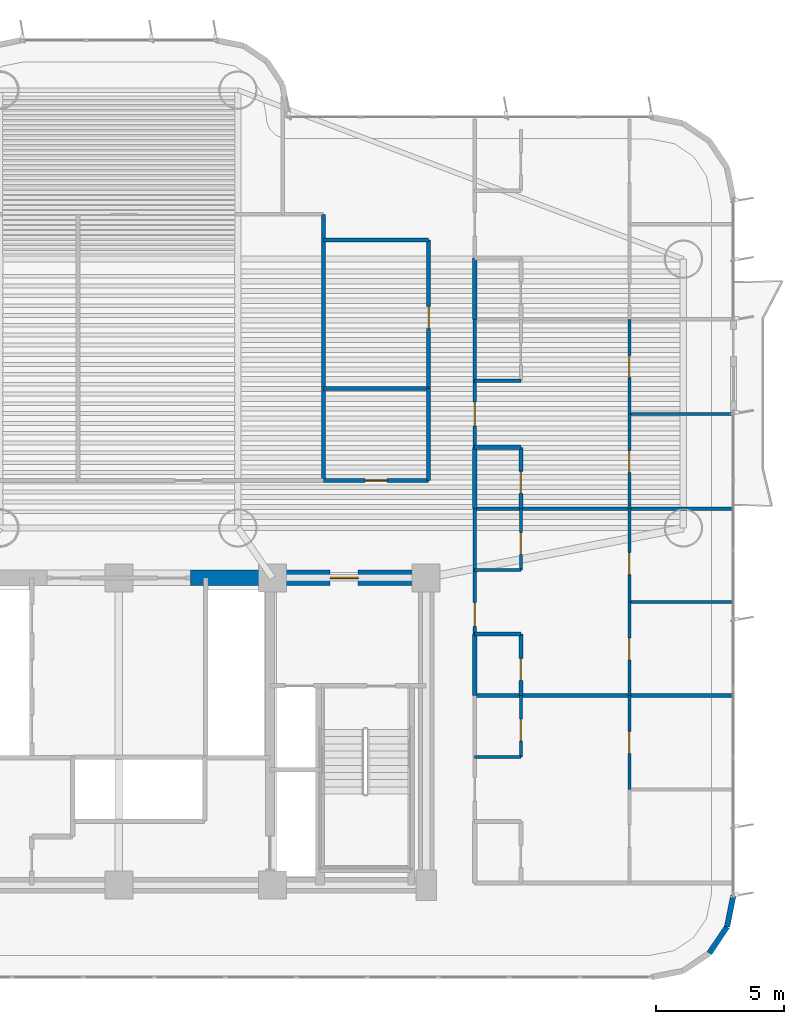
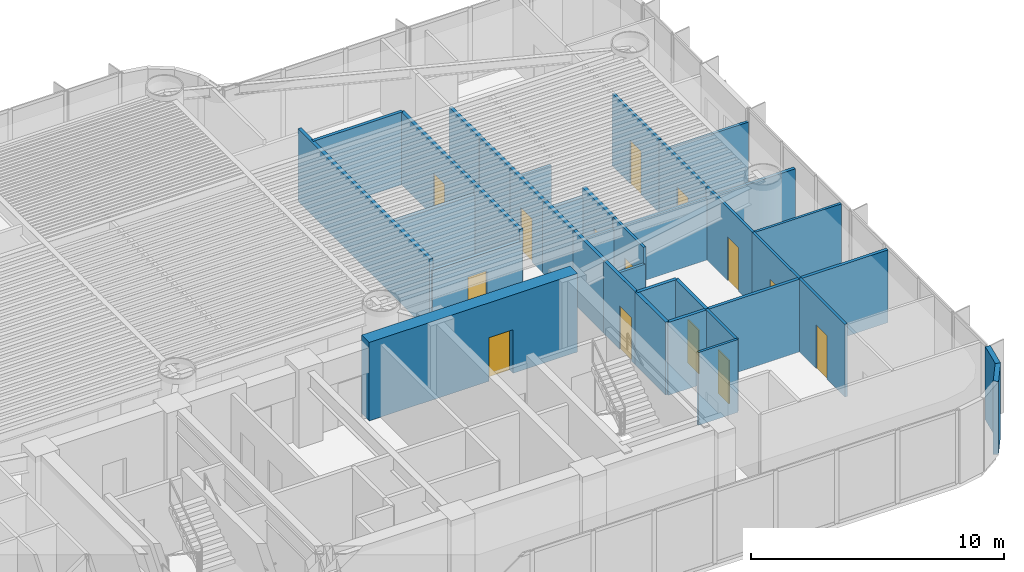
# One storey, part 13 of 19: 34 walls, 14 doors, 14 openings.
"""IFC4 building model written with IfcOpenShell, lengths in metres."""

from ifc_helpers import new_model, si_unit, direction, frame, frame_2d, origin, origin_2d, place, context, subcontext, project, spatial, rectangle, extrude, source, transform, mapped, material, layer, layer_set, type_object, element, fill, save


model = new_model("IFC4")

# Units and contexts
model_context = context("Model", 3, precision=1e-05, world=origin(), true_north=direction((0.0, 1.0)))
body_context = subcontext(model_context, "Body", "Model", "MODEL_VIEW")
ifc_project = project(units=[si_unit("LENGTHUNIT", "METRE"), si_unit("AREAUNIT", "SQUARE_METRE"), si_unit("VOLUMEUNIT", "CUBIC_METRE"), si_unit("PLANEANGLEUNIT", "RADIAN"), si_unit("MASSUNIT", "GRAM", prefix="KILO")], contexts=[model_context])

# Site, building, storey
site_placement = place(None, origin())
site = spatial("IfcSite", under=ifc_project, at=site_placement, CompositionType="ELEMENT")
building_placement = place(site_placement, origin())
building = spatial("IfcBuilding", under=site, at=building_placement, Name="Brelvock Crest Care Tower", CompositionType="ELEMENT")
storey_placement = place(building_placement, frame((0.0, 0.0, 30.780029296875)))
storey = spatial("IfcBuildingStorey", under=building, at=storey_placement, Name="L07", CompositionType="ELEMENT", Elevation=30.780029296875)

# Wall, opening, door
ifc_material_1 = material(Name="Concrete S80 (80 MPa)", Category="concrete")
ifc_layer_1 = layer(ifc_material_1, 0.60009765625, Name="WL-CS1")
ifc_layer_set_1 = layer_set([ifc_layer_1], Name="Concrete S80 (80 MPa)")
wall_type_1 = type_object("IfcWallType", Name="WL-CS1", PredefinedType="SHEAR", material=ifc_layer_set_1)
wall_1_placement = place(storey_placement, frame((38.800048828125, 18.0, 0.0), z_axis=(0.0, 0.0, 1.0), x_axis=(1.0, 0.0, 0.0)))
wall_1 = element("IfcWall", 1, at=wall_1_placement, inside=storey, type_object=wall_type_1, Name="L07 Core North-East Shear Wall", PredefinedType="SHEAR", context=body_context, shape_type="SweptSolid", body=[
    extrude(rectangle(XDim=9.5, YDim=0.60009765625, at=frame_2d((4.75, 0.0))), origin(), (0.0, 0.0, 1.0), 3.780029296875),
])
opening_1_placement = place(wall_1_placement, frame((5.449951171875, 0.0, 0.0)))
opening_1 = element("IfcOpeningElement", 2, at=opening_1_placement, cuts=wall_1, Name="Opening FD-1", PredefinedType="OPENING", context=body_context, shape_type="SweptSolid", body=[
    extrude(rectangle(XDim=1.10009765625, YDim=2.10009765625, at=origin_2d()), frame((0.550048828125, 0.31005859375, 1.050048828125), z_axis=(0.0, -1.0, 0.0), x_axis=(1.0, 0.0, 0.0)), (0.0, 0.0, 1.0), 0.6201171875),
])
ifc_material_2 = material(Name="Steel Grade 350", Category="steel")
door_type_1 = type_object("IfcDoorType", Name="DR-FFL1", OperationType="NOTDEFINED", PredefinedType="DOOR", material=ifc_material_2)
shared_shape_1 = source(origin(), body_context, "Body", "SweptSolid", [
    extrude(rectangle(XDim=1.10009765625, YDim=2.10009765625, at=origin_2d()), frame((0.550048828125, 0.02490234375, 1.050048828125), z_axis=(0.0, -1.0, 0.0), x_axis=(1.0, 0.0, 0.0)), (0.0, 0.0, 1.0), 0.050048828125),
])
door_1_placement = place(opening_1_placement, origin())
door_1 = element("IfcDoor", 3, at=door_1_placement, inside=storey, type_object=door_type_1, Name="L07 Firefighting Lobby FFL-2 Exit Door", OperationType="SINGLE_SWING_RIGHT", OverallHeight=2.10009765625, OverallWidth=1.10009765625, PredefinedType="DOOR", context=body_context, shape_type="MappedRepresentation", body=[
    mapped(shared_shape_1, transform((0.0, 0.0, 0.0), x_axis=(1.0, 0.0, 0.0), y_axis=(0.0, 1.0, 0.0), z_axis=(0.0, 0.0, 1.0), scale=1.0)),
])
fill(opening_1, door_1)

# Walls
ifc_material_3 = material(Name="Precast concrete N40 (40 MPa)", Category="concrete")
ifc_layer_2 = layer(ifc_material_3, 0.215087890625, Name="WL-EX2")
ifc_layer_set_2 = layer_set([ifc_layer_2], Name="Precast concrete N40 (40 MPa)")
wall_type_2 = type_object("IfcWallType", Name="WL-EX2", PredefinedType="SOLIDWALL", material=ifc_layer_set_2)
for number, where, z_axis, x_axis, name in (
    (4, (60.0, 5.60009765625, 0.0), (0.0, 0.0, 1.0), (-0.195138390419, -0.980775717779, 0.0), "L07 Rounded Corner Wall 04"),
    (5, (59.75634765625, 4.37548828125, 0.0), (0.0, 0.0, 1.0), (-0.555557312883, -0.831478245117, 0.0), "L07 Rounded Corner Wall 05"),
):
    element("IfcWall", number, at=place(storey_placement, frame(where, z_axis=z_axis, x_axis=x_axis)), inside=storey, type_object=wall_type_2, Name=name, PredefinedType="SOLIDWALL", context=body_context, shape_type="SweptSolid", body=[
        extrude(rectangle(XDim=1.24853515625, YDim=0.215087890625, at=frame_2d((0.624267578125, 0.0))), origin(), (0.0, 0.0, 1.0), 3.530029296875),
    ])
ifc_material_4 = material(Name="Masonry Blockwork Acoustic Partition", Category="masonry")
ifc_layer_3 = layer(ifc_material_4, 0.14990234375, Name="WL-INT1")
ifc_layer_set_3 = layer_set([ifc_layer_3], Name="Masonry Blockwork Acoustic Partition")
wall_type_3 = type_object("IfcWallType", Name="WL-INT1", PredefinedType="PARTITIONING", material=ifc_layer_set_3)
wall_2_placement = place(storey_placement, frame((49.89990234375, 13.39990234375, 0.0), z_axis=(0.0, 0.0, 1.0), x_axis=(1.0, 0.0, 0.0)))
element("IfcWall", 6, at=wall_2_placement, inside=storey, type_object=wall_type_3, Name="L07 Interior Wall WL-BX-L07-FL-EW1-N", PredefinedType="PARTITIONING", context=body_context, shape_type="SweptSolid", body=[
    extrude(rectangle(XDim=10.02001953125, YDim=0.14990234375, at=frame_2d((5.010009765625, 0.0))), origin(), (0.0, 0.0, 1.0), 3.5),
])
wall_3_placement = place(storey_placement, frame((49.89990234375, 20.699951171875, 0.0), z_axis=(0.0, 0.0, 1.0), x_axis=(1.0, 0.0, 0.0)))
element("IfcWall", 7, at=wall_3_placement, inside=storey, type_object=wall_type_3, Name="L07 Interior Wall WL-BX-L07-FL-EW2-N", PredefinedType="PARTITIONING", context=body_context, shape_type="SweptSolid", body=[
    extrude(rectangle(XDim=10.02001953125, YDim=0.14990234375, at=frame_2d((5.010009765625, 0.0))), origin(), (0.0, 0.0, 1.0), 2.98193359375),
])
wall_4_placement = place(storey_placement, frame((44.0, 31.199951171875, 0.0), z_axis=(0.0, 0.0, 1.0), x_axis=(1.0, 0.0, 0.0)))
element("IfcWall", 8, at=wall_4_placement, inside=storey, type_object=wall_type_3, Name="L07 Interior Wall WL-BX-L07-CKIT-N", PredefinedType="PARTITIONING", context=body_context, shape_type="SweptSolid", body=[
    extrude(rectangle(XDim=4.10009765625, YDim=0.14990234375, at=frame_2d((2.050048828125, 0.0))), origin(), (0.0, 0.0, 1.0), 3.5),
])

# Wall, opening, door
wall_5_placement = place(storey_placement, frame((48.10009765625, 25.39990234375, 0.0), z_axis=(0.0, 0.0, 1.0), x_axis=(0.0, 1.0, 0.0)))
wall_5 = element("IfcWall", 9, at=wall_5_placement, inside=storey, type_object=wall_type_3, Name="L07 Interior Wall WL-RM-L07-CKIT", PredefinedType="PARTITIONING", context=body_context, shape_type="SweptSolid", body=[
    extrude(rectangle(XDim=5.800048828125, YDim=0.14990234375, at=frame_2d((2.89990234375, 0.0))), origin(), (0.0, 0.0, 1.0), 3.5),
])
opening_2_placement = place(wall_5_placement, frame((2.340087890625, 0.0, 0.0)))
opening_2 = element("IfcOpeningElement", 10, at=opening_2_placement, cuts=wall_5, Name="Opening ID-1", PredefinedType="OPENING", context=body_context, shape_type="SweptSolid", body=[
    extrude(rectangle(XDim=0.860107421875, YDim=2.10009765625, at=origin_2d()), frame((0.43017578125, 0.0849609375, 1.050048828125), z_axis=(0.0, -1.0, 0.0), x_axis=(1.0, 0.0, 0.0)), (0.0, 0.0, 1.0), 0.169921875),
])
ifc_material_5 = material(Name="Engineered Hardwood Timber", Category="wood")
door_type_2 = type_object("IfcDoorType", Name="DR-INT1", OperationType="NOTDEFINED", PredefinedType="DOOR", material=ifc_material_5)
shared_shape_2 = source(origin(), body_context, "Body", "SweptSolid", [
    extrude(rectangle(XDim=0.860107421875, YDim=2.10009765625, at=origin_2d()), frame((0.43017578125, 0.02490234375, 1.050048828125), z_axis=(0.0, -1.0, 0.0), x_axis=(1.0, 0.0, 0.0)), (0.0, 0.0, 1.0), 0.050048828125),
])
door_2_placement = place(opening_2_placement, origin())
door_2 = element("IfcDoor", 11, at=door_2_placement, inside=storey, type_object=door_type_2, Name="L07 Neighbourhood Pantry Kitchen Door CKIT", OperationType="SINGLE_SWING_LEFT", OverallHeight=2.10009765625, OverallWidth=0.860107421875, PredefinedType="DOOR", context=body_context, shape_type="MappedRepresentation", body=[
    mapped(shared_shape_2, transform((0.0, 0.0, 0.0), x_axis=(1.0, 0.0, 0.0), y_axis=(0.0, 1.0, 0.0), z_axis=(0.0, 0.0, 1.0), scale=1.0)),
])
fill(opening_2, door_2)

wall_6_placement = place(storey_placement, frame((49.89990234375, 15.800048828125, 0.0), z_axis=(0.0, 0.0, 1.0), x_axis=(0.0, 1.0, 0.0)))
wall_6 = element("IfcWall", 12, at=wall_6_placement, inside=storey, type_object=wall_type_3, Name="L07 Interior Wall WL-UENT-L07-EW2", PredefinedType="PARTITIONING", context=body_context, shape_type="SweptSolid", body=[
    extrude(rectangle(XDim=2.5, YDim=0.14990234375, at=frame_2d((1.25, 0.0))), origin(), (0.0, 0.0, 1.0), 3.5),
])
opening_3_placement = place(wall_6_placement, frame((0.31005859375, 0.0, 0.0)))
opening_3 = element("IfcOpeningElement", 13, at=opening_3_placement, cuts=wall_6, Name="Opening AD-1", PredefinedType="OPENING", context=body_context, shape_type="SweptSolid", body=[
    extrude(rectangle(XDim=0.919921875, YDim=2.10009765625, at=origin_2d()), frame((0.4599609375, 0.0849609375, 1.050048828125), z_axis=(0.0, -1.0, 0.0), x_axis=(1.0, 0.0, 0.0)), (0.0, 0.0, 1.0), 0.169921875),
])
door_type_3 = type_object("IfcDoorType", Name="DR-APT1", OperationType="NOTDEFINED", PredefinedType="DOOR", material=ifc_material_5)
shared_shape_3 = source(origin(), body_context, "Body", "SweptSolid", [
    extrude(rectangle(XDim=0.919921875, YDim=2.10009765625, at=origin_2d()), frame((0.4599609375, 0.02490234375, 1.050048828125), z_axis=(0.0, -1.0, 0.0), x_axis=(1.0, 0.0, 0.0)), (0.0, 0.0, 1.0), 0.050048828125),
])
door_3_placement = place(opening_3_placement, origin())
door_3 = element("IfcDoor", 14, at=door_3_placement, inside=storey, type_object=door_type_3, Name="L07 Apartment Entrance EW2", OperationType="SINGLE_SWING_LEFT", OverallHeight=2.10009765625, OverallWidth=0.919921875, PredefinedType="DOOR", context=body_context, shape_type="MappedRepresentation", body=[
    mapped(shared_shape_3, transform((0.0, 0.0, 0.0), x_axis=(1.0, 0.0, 0.0), y_axis=(0.0, 1.0, 0.0), z_axis=(0.0, 0.0, 1.0), scale=1.0)),
])
fill(opening_3, door_3)

# Wall
wall_7_placement = place(storey_placement, frame((49.89990234375, 18.300048828125, 0.0), z_axis=(0.0, 0.0, 1.0), x_axis=(0.0, 1.0, 0.0)))
element("IfcWall", 15, at=wall_7_placement, inside=storey, type_object=wall_type_3, Name="L07 Interior Wall WL-UCK-L07-EW2", PredefinedType="PARTITIONING", context=body_context, shape_type="SweptSolid", body=[
    extrude(rectangle(XDim=2.39990234375, YDim=0.14990234375, at=frame_2d((1.199951171875, 0.0))), origin(), (0.0, 0.0, 1.0), 3.5),
])

# Wall, opening, door
wall_8_placement = place(storey_placement, frame((49.89990234375, 23.10009765625, 0.0), z_axis=(0.0, 0.0, 1.0), x_axis=(0.0, 1.0, 0.0)))
wall_8 = element("IfcWall", 16, at=wall_8_placement, inside=storey, type_object=wall_type_3, Name="L07 Interior Wall WL-UENT-L07-EW3", PredefinedType="PARTITIONING", context=body_context, shape_type="SweptSolid", body=[
    extrude(rectangle(XDim=2.599853515625, YDim=0.14990234375, at=frame_2d((1.2998046875, 0.0))), origin(), (0.0, 0.0, 1.0), 3.5),
])
opening_4_placement = place(wall_8_placement, frame((0.840087890625, 0.0, 0.0)))
opening_4 = element("IfcOpeningElement", 17, at=opening_4_placement, cuts=wall_8, Name="Opening AD-1", PredefinedType="OPENING", context=body_context, shape_type="SweptSolid", body=[
    extrude(rectangle(XDim=0.919921875, YDim=2.10009765625, at=origin_2d()), frame((0.4599609375, 0.0849609375, 1.050048828125), z_axis=(0.0, -1.0, 0.0), x_axis=(1.0, 0.0, 0.0)), (0.0, 0.0, 1.0), 0.169921875),
])
door_4_placement = place(opening_4_placement, origin())
door_4 = element("IfcDoor", 18, at=door_4_placement, inside=storey, type_object=door_type_3, Name="L07 Apartment Entrance EW3", OperationType="SINGLE_SWING_LEFT", OverallHeight=2.10009765625, OverallWidth=0.919921875, PredefinedType="DOOR", context=body_context, shape_type="MappedRepresentation", body=[
    mapped(shared_shape_3, transform((0.0, 0.0, 0.0), x_axis=(1.0, 0.0, 0.0), y_axis=(0.0, 1.0, 0.0), z_axis=(0.0, 0.0, 1.0), scale=1.0)),
])
fill(opening_4, door_4)

# Walls
wall_9_placement = place(storey_placement, frame((49.89990234375, 25.699951171875, 0.0), z_axis=(0.0, 0.0, 1.0), x_axis=(0.0, 1.0, 0.0)))
element("IfcWall", 19, at=wall_9_placement, inside=storey, type_object=wall_type_3, Name="L07 Interior Wall WL-UCK-L07-EW3", PredefinedType="PARTITIONING", context=body_context, shape_type="SweptSolid", body=[
    extrude(rectangle(XDim=2.400146484375, YDim=0.14990234375, at=frame_2d((1.2001953125, 0.0))), origin(), (0.0, 0.0, 1.0), 3.5),
])
ifc_material_6 = material(Name="Gypsum Plasterboard Partition", Category="gypsum")
ifc_layer_4 = layer(ifc_material_6, 0.1201171875, Name="WL-INT2")
ifc_layer_set_4 = layer_set([ifc_layer_4], Name="Gypsum Plasterboard Partition")
wall_type_4 = type_object("IfcWallType", Name="WL-INT2", PredefinedType="PARTITIONING", material=ifc_layer_set_4)
wall_10_placement = place(storey_placement, frame((49.89990234375, 11.0, 0.0), z_axis=(0.0, 0.0, 1.0), x_axis=(1.0, 0.0, 0.0)))
element("IfcWall", 20, at=wall_10_placement, inside=storey, type_object=wall_type_4, Name="L07 Interior Wall WL-UKIT2-L07-EW1", PredefinedType="PARTITIONING", context=body_context, shape_type="SweptSolid", body=[
    extrude(rectangle(XDim=1.800048828125, YDim=0.1201171875, at=frame_2d((0.89990234375, 0.0))), origin(), (0.0, 0.0, 1.0), 3.5),
])
wall_11_placement = place(storey_placement, frame((55.93603515625, 17.050048828125, 0.0), z_axis=(0.0, 0.0, 1.0), x_axis=(1.0, 0.0, 0.0)))
element("IfcWall", 21, at=wall_11_placement, inside=storey, type_object=wall_type_4, Name="L07 Interior Wall WL-UBSP-L07-EW2", PredefinedType="PARTITIONING", context=body_context, shape_type="SweptSolid", body=[
    extrude(rectangle(XDim=3.98388671875, YDim=0.1201171875, at=frame_2d((1.991943359375, 0.0))), origin(), (0.0, 0.0, 1.0), 3.5),
])
wall_12_placement = place(storey_placement, frame((49.89990234375, 18.300048828125, 0.0), z_axis=(0.0, 0.0, 1.0), x_axis=(1.0, 0.0, 0.0)))
element("IfcWall", 22, at=wall_12_placement, inside=storey, type_object=wall_type_4, Name="L07 Interior Wall WL-UKIT2-L07-EW2", PredefinedType="PARTITIONING", context=body_context, shape_type="SweptSolid", body=[
    extrude(rectangle(XDim=1.800048828125, YDim=0.1201171875, at=frame_2d((0.89990234375, 0.0))), origin(), (0.0, 0.0, 1.0), 2.715087890625),
])
wall_13_placement = place(storey_placement, frame((55.93603515625, 24.39990234375, 0.0), z_axis=(0.0, 0.0, 1.0), x_axis=(1.0, 0.0, 0.0)))
element("IfcWall", 23, at=wall_13_placement, inside=storey, type_object=wall_type_4, Name="L07 Interior Wall WL-UBSP-L07-EW3", PredefinedType="PARTITIONING", context=body_context, shape_type="SweptSolid", body=[
    extrude(rectangle(XDim=3.98388671875, YDim=0.1201171875, at=frame_2d((1.991943359375, 0.0))), origin(), (0.0, 0.0, 1.0), 2.98193359375),
])
wall_14_placement = place(storey_placement, frame((49.89990234375, 25.699951171875, 0.0), z_axis=(0.0, 0.0, 1.0), x_axis=(1.0, 0.0, 0.0)))
element("IfcWall", 24, at=wall_14_placement, inside=storey, type_object=wall_type_4, Name="L07 Interior Wall WL-UKIT2-L07-EW3", PredefinedType="PARTITIONING", context=body_context, shape_type="SweptSolid", body=[
    extrude(rectangle(XDim=1.800048828125, YDim=0.1201171875, at=frame_2d((0.89990234375, 0.0))), origin(), (0.0, 0.0, 1.0), 2.98193359375),
])

# Wall, opening, door
wall_15_placement = place(storey_placement, frame((51.699951171875, 11.0, 0.0), z_axis=(0.0, 0.0, 1.0), x_axis=(0.0, 1.0, 0.0)))
wall_15 = element("IfcWall", 25, at=wall_15_placement, inside=storey, type_object=wall_type_4, Name="L07 Interior Wall WL-UKIT1-L07-EW1", PredefinedType="PARTITIONING", context=body_context, shape_type="SweptSolid", body=[
    extrude(rectangle(XDim=2.39990234375, YDim=0.1201171875, at=frame_2d((1.199951171875, 0.0))), origin(), (0.0, 0.0, 1.0), 3.5),
])
opening_5_placement = place(wall_15_placement, frame((0.6201171875, 0.0, 0.0)))
opening_5 = element("IfcOpeningElement", 26, at=opening_5_placement, cuts=wall_15, Name="Opening ID-1", PredefinedType="OPENING", context=body_context, shape_type="SweptSolid", body=[
    extrude(rectangle(XDim=0.860107421875, YDim=2.10009765625, at=origin_2d()), frame((0.43017578125, 0.070068359375, 1.050048828125), z_axis=(0.0, -1.0, 0.0), x_axis=(1.0, 0.0, 0.0)), (0.0, 0.0, 1.0), 0.14013671875),
])
door_5_placement = place(opening_5_placement, origin())
door_5 = element("IfcDoor", 27, at=door_5_placement, inside=storey, type_object=door_type_2, Name="L07 Kitchen Door EW1", OperationType="SINGLE_SWING_RIGHT", OverallHeight=2.10009765625, OverallWidth=0.860107421875, PredefinedType="DOOR", context=body_context, shape_type="MappedRepresentation", body=[
    mapped(shared_shape_2, transform((0.0, 0.0, 0.0), x_axis=(1.0, 0.0, 0.0), y_axis=(0.0, 1.0, 0.0), z_axis=(0.0, 0.0, 1.0), scale=1.0)),
])
fill(opening_5, door_5)

wall_16_placement = place(storey_placement, frame((51.699951171875, 18.300048828125, 0.0), z_axis=(0.0, 0.0, 1.0), x_axis=(0.0, 1.0, 0.0)))
wall_16 = element("IfcWall", 28, at=wall_16_placement, inside=storey, type_object=wall_type_4, Name="L07 Interior Wall WL-UKIT1-L07-EW2", PredefinedType="PARTITIONING", context=body_context, shape_type="SweptSolid", body=[
    extrude(rectangle(XDim=2.39990234375, YDim=0.1201171875, at=frame_2d((1.199951171875, 0.0))), origin(), (0.0, 0.0, 1.0), 3.5),
])
opening_6_placement = place(wall_16_placement, frame((0.6201171875, 0.0, 0.0)))
opening_6 = element("IfcOpeningElement", 29, at=opening_6_placement, cuts=wall_16, Name="Opening ID-1", PredefinedType="OPENING", context=body_context, shape_type="SweptSolid", body=[
    extrude(rectangle(XDim=0.860107421875, YDim=2.10009765625, at=origin_2d()), frame((0.43017578125, 0.070068359375, 1.050048828125), z_axis=(0.0, -1.0, 0.0), x_axis=(1.0, 0.0, 0.0)), (0.0, 0.0, 1.0), 0.14013671875),
])
door_6_placement = place(opening_6_placement, origin())
door_6 = element("IfcDoor", 30, at=door_6_placement, inside=storey, type_object=door_type_2, Name="L07 Kitchen Door EW2", OperationType="SINGLE_SWING_RIGHT", OverallHeight=2.10009765625, OverallWidth=0.860107421875, PredefinedType="DOOR", context=body_context, shape_type="MappedRepresentation", body=[
    mapped(shared_shape_2, transform((0.0, 0.0, 0.0), x_axis=(1.0, 0.0, 0.0), y_axis=(0.0, 1.0, 0.0), z_axis=(0.0, 0.0, 1.0), scale=1.0)),
])
fill(opening_6, door_6)

wall_17_placement = place(storey_placement, frame((55.93603515625, 9.739990234375, 0.0), z_axis=(0.0, 0.0, 1.0), x_axis=(0.0, 1.0, 0.0)))
wall_17 = element("IfcWall", 31, at=wall_17_placement, inside=storey, type_object=wall_type_4, Name="L07 Interior Wall WL-UBD2-L07-EW1", PredefinedType="PARTITIONING", context=body_context, shape_type="SweptSolid", body=[
    extrude(rectangle(XDim=3.659912109375, YDim=0.1201171875, at=frame_2d((1.830078125, 0.0))), origin(), (0.0, 0.0, 1.0), 3.5),
])
opening_7_placement = place(wall_17_placement, frame((1.39990234375, 0.0, 0.0)))
opening_7 = element("IfcOpeningElement", 32, at=opening_7_placement, cuts=wall_17, Name="Opening ID-1", PredefinedType="OPENING", context=body_context, shape_type="SweptSolid", body=[
    extrude(rectangle(XDim=0.860107421875, YDim=2.10009765625, at=origin_2d()), frame((0.43017578125, 0.070068359375, 1.050048828125), z_axis=(0.0, -1.0, 0.0), x_axis=(1.0, 0.0, 0.0)), (0.0, 0.0, 1.0), 0.14013671875),
])
door_7_placement = place(opening_7_placement, origin())
door_7 = element("IfcDoor", 33, at=door_7_placement, inside=storey, type_object=door_type_2, Name="L07 Second Room Door EW1", OperationType="SINGLE_SWING_LEFT", OverallHeight=2.10009765625, OverallWidth=0.860107421875, PredefinedType="DOOR", context=body_context, shape_type="MappedRepresentation", body=[
    mapped(shared_shape_2, transform((0.0, 0.0, 0.0), x_axis=(1.0, 0.0, 0.0), y_axis=(0.0, 1.0, 0.0), z_axis=(0.0, 0.0, 1.0), scale=1.0)),
])
fill(opening_7, door_7)

wall_18_placement = place(storey_placement, frame((55.93603515625, 13.39990234375, 0.0), z_axis=(0.0, 0.0, 1.0), x_axis=(0.0, 1.0, 0.0)))
wall_18 = element("IfcWall", 34, at=wall_18_placement, inside=storey, type_object=wall_type_4, Name="L07 Interior Wall WL-UBD1-L07-EW2", PredefinedType="PARTITIONING", context=body_context, shape_type="SweptSolid", body=[
    extrude(rectangle(XDim=3.650146484375, YDim=0.1201171875, at=frame_2d((1.8251953125, 0.0))), origin(), (0.0, 0.0, 1.0), 3.5),
])
opening_8_placement = place(wall_18_placement, frame((1.39501953125, 0.0, 0.0)))
opening_8 = element("IfcOpeningElement", 35, at=opening_8_placement, cuts=wall_18, Name="Opening ID-1", PredefinedType="OPENING", context=body_context, shape_type="SweptSolid", body=[
    extrude(rectangle(XDim=0.860107421875, YDim=2.10009765625, at=origin_2d()), frame((0.43017578125, 0.070068359375, 1.050048828125), z_axis=(0.0, -1.0, 0.0), x_axis=(1.0, 0.0, 0.0)), (0.0, 0.0, 1.0), 0.14013671875),
])
door_8_placement = place(opening_8_placement, origin())
door_8 = element("IfcDoor", 36, at=door_8_placement, inside=storey, type_object=door_type_2, Name="L07 Primary Bedroom Door EW2", OperationType="SINGLE_SWING_RIGHT", OverallHeight=2.10009765625, OverallWidth=0.860107421875, PredefinedType="DOOR", context=body_context, shape_type="MappedRepresentation", body=[
    mapped(shared_shape_2, transform((0.0, 0.0, 0.0), x_axis=(1.0, 0.0, 0.0), y_axis=(0.0, 1.0, 0.0), z_axis=(0.0, 0.0, 1.0), scale=1.0)),
])
fill(opening_8, door_8)

wall_19_placement = place(storey_placement, frame((55.93603515625, 17.050048828125, 0.0), z_axis=(0.0, 0.0, 1.0), x_axis=(0.0, 1.0, 0.0)))
wall_19 = element("IfcWall", 37, at=wall_19_placement, inside=storey, type_object=wall_type_4, Name="L07 Interior Wall WL-UBD2-L07-EW2", PredefinedType="PARTITIONING", context=body_context, shape_type="SweptSolid", body=[
    extrude(rectangle(XDim=3.64990234375, YDim=0.1201171875, at=frame_2d((1.824951171875, 0.0))), origin(), (0.0, 0.0, 1.0), 3.5),
])
opening_9_placement = place(wall_19_placement, frame((1.074951171875, 0.0, 0.0)))
opening_9 = element("IfcOpeningElement", 38, at=opening_9_placement, cuts=wall_19, Name="Opening ID-1", PredefinedType="OPENING", context=body_context, shape_type="SweptSolid", body=[
    extrude(rectangle(XDim=0.860107421875, YDim=2.10009765625, at=origin_2d()), frame((0.43017578125, 0.070068359375, 1.050048828125), z_axis=(0.0, -1.0, 0.0), x_axis=(1.0, 0.0, 0.0)), (0.0, 0.0, 1.0), 0.14013671875),
])
door_9_placement = place(opening_9_placement, origin())
door_9 = element("IfcDoor", 39, at=door_9_placement, inside=storey, type_object=door_type_2, Name="L07 Second Room Door EW2", OperationType="SINGLE_SWING_LEFT", OverallHeight=2.10009765625, OverallWidth=0.860107421875, PredefinedType="DOOR", context=body_context, shape_type="MappedRepresentation", body=[
    mapped(shared_shape_2, transform((0.0, 0.0, 0.0), x_axis=(1.0, 0.0, 0.0), y_axis=(0.0, 1.0, 0.0), z_axis=(0.0, 0.0, 1.0), scale=1.0)),
])
fill(opening_9, door_9)

wall_20_placement = place(storey_placement, frame((55.93603515625, 20.699951171875, 0.0), z_axis=(0.0, 0.0, 1.0), x_axis=(0.0, 1.0, 0.0)))
wall_20 = element("IfcWall", 40, at=wall_20_placement, inside=storey, type_object=wall_type_4, Name="L07 Interior Wall WL-UBD1-L07-EW3", PredefinedType="PARTITIONING", context=body_context, shape_type="SweptSolid", body=[
    extrude(rectangle(XDim=3.699951171875, YDim=0.1201171875, at=frame_2d((1.85009765625, 0.0))), origin(), (0.0, 0.0, 1.0), 3.5),
])
opening_10_placement = place(wall_20_placement, frame((1.419921875, 0.0, 0.0)))
opening_10 = element("IfcOpeningElement", 41, at=opening_10_placement, cuts=wall_20, Name="Opening ID-1", PredefinedType="OPENING", context=body_context, shape_type="SweptSolid", body=[
    extrude(rectangle(XDim=0.860107421875, YDim=2.10009765625, at=origin_2d()), frame((0.43017578125, 0.070068359375, 1.050048828125), z_axis=(0.0, -1.0, 0.0), x_axis=(1.0, 0.0, 0.0)), (0.0, 0.0, 1.0), 0.14013671875),
])
door_10_placement = place(opening_10_placement, origin())
door_10 = element("IfcDoor", 42, at=door_10_placement, inside=storey, type_object=door_type_2, Name="L07 Primary Bedroom Door EW3", OperationType="SINGLE_SWING_RIGHT", OverallHeight=2.10009765625, OverallWidth=0.860107421875, PredefinedType="DOOR", context=body_context, shape_type="MappedRepresentation", body=[
    mapped(shared_shape_2, transform((0.0, 0.0, 0.0), x_axis=(1.0, 0.0, 0.0), y_axis=(0.0, 1.0, 0.0), z_axis=(0.0, 0.0, 1.0), scale=1.0)),
])
fill(opening_10, door_10)

wall_21_placement = place(storey_placement, frame((55.93603515625, 24.39990234375, 0.0), z_axis=(0.0, 0.0, 1.0), x_axis=(0.0, 1.0, 0.0)))
wall_21 = element("IfcWall", 43, at=wall_21_placement, inside=storey, type_object=wall_type_4, Name="L07 Interior Wall WL-UBD2-L07-EW3", PredefinedType="PARTITIONING", context=body_context, shape_type="SweptSolid", body=[
    extrude(rectangle(XDim=3.7001953125, YDim=0.1201171875, at=frame_2d((1.85009765625, 0.0))), origin(), (0.0, 0.0, 1.0), 3.5),
])
opening_11_placement = place(wall_21_placement, frame((1.419921875, 0.0, 0.0)))
opening_11 = element("IfcOpeningElement", 44, at=opening_11_placement, cuts=wall_21, Name="Opening ID-1", PredefinedType="OPENING", context=body_context, shape_type="SweptSolid", body=[
    extrude(rectangle(XDim=0.860107421875, YDim=2.10009765625, at=origin_2d()), frame((0.43017578125, 0.070068359375, 1.050048828125), z_axis=(0.0, -1.0, 0.0), x_axis=(1.0, 0.0, 0.0)), (0.0, 0.0, 1.0), 0.14013671875),
])
door_11_placement = place(opening_11_placement, origin())
door_11 = element("IfcDoor", 45, at=door_11_placement, inside=storey, type_object=door_type_2, Name="L07 Second Room Door EW3", OperationType="SINGLE_SWING_LEFT", OverallHeight=2.10009765625, OverallWidth=0.860107421875, PredefinedType="DOOR", context=body_context, shape_type="MappedRepresentation", body=[
    mapped(shared_shape_2, transform((0.0, 0.0, 0.0), x_axis=(1.0, 0.0, 0.0), y_axis=(0.0, 1.0, 0.0), z_axis=(0.0, 0.0, 1.0), scale=1.0)),
])
fill(opening_11, door_11)

# Wall
ifc_layer_5 = layer(ifc_material_6, 0.159912109375, Name="WL-PLM1")
ifc_layer_set_5 = layer_set([ifc_layer_5], Name="Gypsum Plasterboard Partition")
wall_type_5 = type_object("IfcWallType", Name="WL-PLM1", PredefinedType="PLUMBINGWALL", material=ifc_layer_set_5)
wall_22_placement = place(storey_placement, frame((49.89990234375, 15.800048828125, 0.0), z_axis=(0.0, 0.0, 1.0), x_axis=(1.0, 0.0, 0.0)))
element("IfcWall", 46, at=wall_22_placement, inside=storey, type_object=wall_type_5, Name="L07 Interior Wall WL-UBTH2-L07-EW2", PredefinedType="PLUMBINGWALL", context=body_context, shape_type="SweptSolid", body=[
    extrude(rectangle(XDim=1.800048828125, YDim=0.159912109375, at=frame_2d((0.89990234375, 0.0))), origin(), (0.0, 0.0, 1.0), 3.5),
])

# Wall, opening, door
wall_23_placement = place(storey_placement, frame((44.0, 21.800048828125, 0.0), z_axis=(0.0, 0.0, 1.0), x_axis=(1.0, 0.0, 0.0)))
wall_23 = element("IfcWall", 47, at=wall_23_placement, inside=storey, type_object=wall_type_5, Name="L07 Interior Wall WL-RM-L07-CAWC", PredefinedType="PLUMBINGWALL", context=body_context, shape_type="SweptSolid", body=[
    extrude(rectangle(XDim=4.10009765625, YDim=0.159912109375, at=frame_2d((2.050048828125, 0.0))), origin(), (0.0, 0.0, 1.0), 2.98193359375),
])
opening_12_placement = place(wall_23_placement, frame((1.6201171875, 0.0, 0.0)))
opening_12 = element("IfcOpeningElement", 48, at=opening_12_placement, cuts=wall_23, Name="Opening WD-1", PredefinedType="OPENING", context=body_context, shape_type="SweptSolid", body=[
    extrude(rectangle(XDim=0.860107421875, YDim=2.10009765625, at=origin_2d()), frame((0.43017578125, 0.08984375, 1.050048828125), z_axis=(0.0, -1.0, 0.0), x_axis=(1.0, 0.0, 0.0)), (0.0, 0.0, 1.0), 0.179931640625),
])
door_type_4 = type_object("IfcDoorType", Name="DR-WC1", OperationType="NOTDEFINED", PredefinedType="DOOR", material=ifc_material_5)
shared_shape_4 = source(origin(), body_context, "Body", "SweptSolid", [
    extrude(rectangle(XDim=0.860107421875, YDim=2.10009765625, at=origin_2d()), frame((0.43017578125, 0.02490234375, 1.050048828125), z_axis=(0.0, -1.0, 0.0), x_axis=(1.0, 0.0, 0.0)), (0.0, 0.0, 1.0), 0.050048828125),
])
door_12_placement = place(opening_12_placement, origin())
door_12 = element("IfcDoor", 49, at=door_12_placement, inside=storey, type_object=door_type_4, Name="L07 Floor Accessible WC Door CAWC", OperationType="SINGLE_SWING_LEFT", OverallHeight=2.10009765625, OverallWidth=0.860107421875, PredefinedType="DOOR", context=body_context, shape_type="MappedRepresentation", body=[
    mapped(shared_shape_4, transform((0.0, 0.0, 0.0), x_axis=(1.0, 0.0, 0.0), y_axis=(0.0, 1.0, 0.0), z_axis=(0.0, 0.0, 1.0), scale=1.0)),
])
fill(opening_12, door_12)

# Walls
wall_24_placement = place(storey_placement, frame((49.89990234375, 23.10009765625, 0.0), z_axis=(0.0, 0.0, 1.0), x_axis=(1.0, 0.0, 0.0)))
element("IfcWall", 50, at=wall_24_placement, inside=storey, type_object=wall_type_5, Name="L07 Interior Wall WL-UBTH2-L07-EW3", PredefinedType="PLUMBINGWALL", context=body_context, shape_type="SweptSolid", body=[
    extrude(rectangle(XDim=1.800048828125, YDim=0.159912109375, at=frame_2d((0.89990234375, 0.0))), origin(), (0.0, 0.0, 1.0), 3.054931640625),
])
wall_25_placement = place(storey_placement, frame((44.0, 25.39990234375, 0.0), z_axis=(0.0, 0.0, 1.0), x_axis=(1.0, 0.0, 0.0)))
element("IfcWall", 51, at=wall_25_placement, inside=storey, type_object=wall_type_5, Name="L07 Interior Wall WL-BX-L07-CAWC-N", PredefinedType="PLUMBINGWALL", context=body_context, shape_type="SweptSolid", body=[
    extrude(rectangle(XDim=4.10009765625, YDim=0.159912109375, at=frame_2d((2.050048828125, 0.0))), origin(), (0.0, 0.0, 1.0), 3.054931640625),
])
wall_26_placement = place(storey_placement, frame((44.0, 21.800048828125, 0.0), z_axis=(0.0, 0.0, 1.0), x_axis=(0.0, 1.0, 0.0)))
element("IfcWall", 52, at=wall_26_placement, inside=storey, type_object=wall_type_5, Name="L07 Interior Wall WL-BX-L07-CNE-E", PredefinedType="PLUMBINGWALL", context=body_context, shape_type="SweptSolid", body=[
    extrude(rectangle(XDim=10.39990234375, YDim=0.159912109375, at=frame_2d((5.199951171875, 0.0))), origin(), (0.0, 0.0, 1.0), 3.5),
])
wall_27_placement = place(storey_placement, frame((48.10009765625, 21.800048828125, 0.0), z_axis=(0.0, 0.0, 1.0), x_axis=(0.0, 1.0, 0.0)))
element("IfcWall", 53, at=wall_27_placement, inside=storey, type_object=wall_type_5, Name="L07 Interior Wall WL-BX-L07-CAWC-E", PredefinedType="PLUMBINGWALL", context=body_context, shape_type="SweptSolid", body=[
    extrude(rectangle(XDim=3.599853515625, YDim=0.159912109375, at=frame_2d((1.7998046875, 0.0))), origin(), (0.0, 0.0, 1.0), 3.5),
])
for number, where, z_axis, x_axis, name in (
    (54, (49.89990234375, 13.39990234375, 0.0), (0.0, 0.0, 1.0), (0.0, 1.0, 0.0), "L07 Interior Wall WL-UCB-L07-EW2"),
    (55, (49.89990234375, 20.699951171875, 0.0), (0.0, 0.0, 1.0), (0.0, 1.0, 0.0), "L07 Interior Wall WL-UCB-L07-EW3"),
):
    element("IfcWall", number, at=place(storey_placement, frame(where, z_axis=z_axis, x_axis=x_axis)), inside=storey, type_object=wall_type_5, Name=name, PredefinedType="PLUMBINGWALL", context=body_context, shape_type="SweptSolid", body=[
        extrude(rectangle(XDim=2.400146484375, YDim=0.159912109375, at=frame_2d((1.2001953125, 0.0))), origin(), (0.0, 0.0, 1.0), 3.5),
    ])
wall_28_placement = place(storey_placement, frame((49.89990234375, 28.10009765625, 0.0), z_axis=(0.0, 0.0, 1.0), x_axis=(0.0, 1.0, 0.0)))
element("IfcWall", 56, at=wall_28_placement, inside=storey, type_object=wall_type_5, Name="L07 Interior Wall WL-UCB-L07-EW4", PredefinedType="PLUMBINGWALL", context=body_context, shape_type="SweptSolid", body=[
    extrude(rectangle(XDim=2.39990234375, YDim=0.159912109375, at=frame_2d((1.199951171875, 0.0))), origin(), (0.0, 0.0, 1.0), 3.5),
])

# Wall, opening, door
wall_29_placement = place(storey_placement, frame((51.699951171875, 13.39990234375, 0.0), z_axis=(0.0, 0.0, 1.0), x_axis=(0.0, 1.0, 0.0)))
wall_29 = element("IfcWall", 57, at=wall_29_placement, inside=storey, type_object=wall_type_5, Name="L07 Interior Wall WL-UBTH1-L07-EW2", PredefinedType="PLUMBINGWALL", context=body_context, shape_type="SweptSolid", body=[
    extrude(rectangle(XDim=2.400146484375, YDim=0.159912109375, at=frame_2d((1.2001953125, 0.0))), origin(), (0.0, 0.0, 1.0), 3.5),
])
opening_13_placement = place(wall_29_placement, frame((0.60009765625, 0.0, 0.0)))
opening_13 = element("IfcOpeningElement", 58, at=opening_13_placement, cuts=wall_29, Name="Opening WD-1", PredefinedType="OPENING", context=body_context, shape_type="SweptSolid", body=[
    extrude(rectangle(XDim=0.860107421875, YDim=2.10009765625, at=origin_2d()), frame((0.43017578125, 0.08984375, 1.050048828125), z_axis=(0.0, -1.0, 0.0), x_axis=(1.0, 0.0, 0.0)), (0.0, 0.0, 1.0), 0.179931640625),
])
door_13_placement = place(opening_13_placement, origin())
door_13 = element("IfcDoor", 59, at=door_13_placement, inside=storey, type_object=door_type_4, Name="L07 Bathroom Door EW2", OperationType="SINGLE_SWING_LEFT", OverallHeight=2.10009765625, OverallWidth=0.860107421875, PredefinedType="DOOR", context=body_context, shape_type="MappedRepresentation", body=[
    mapped(shared_shape_4, transform((0.0, 0.0, 0.0), x_axis=(1.0, 0.0, 0.0), y_axis=(0.0, 1.0, 0.0), z_axis=(0.0, 0.0, 1.0), scale=1.0)),
])
fill(opening_13, door_13)

wall_30_placement = place(storey_placement, frame((51.699951171875, 20.699951171875, 0.0), z_axis=(0.0, 0.0, 1.0), x_axis=(0.0, 1.0, 0.0)))
wall_30 = element("IfcWall", 60, at=wall_30_placement, inside=storey, type_object=wall_type_5, Name="L07 Interior Wall WL-UBTH1-L07-EW3", PredefinedType="PLUMBINGWALL", context=body_context, shape_type="SweptSolid", body=[
    extrude(rectangle(XDim=2.400146484375, YDim=0.159912109375, at=frame_2d((1.2001953125, 0.0))), origin(), (0.0, 0.0, 1.0), 3.5),
])
opening_14_placement = place(wall_30_placement, frame((0.60009765625, 0.0, 0.0)))
opening_14 = element("IfcOpeningElement", 61, at=opening_14_placement, cuts=wall_30, Name="Opening WD-1", PredefinedType="OPENING", context=body_context, shape_type="SweptSolid", body=[
    extrude(rectangle(XDim=0.860107421875, YDim=2.10009765625, at=origin_2d()), frame((0.43017578125, 0.08984375, 1.050048828125), z_axis=(0.0, -1.0, 0.0), x_axis=(1.0, 0.0, 0.0)), (0.0, 0.0, 1.0), 0.179931640625),
])
door_14_placement = place(opening_14_placement, origin())
door_14 = element("IfcDoor", 62, at=door_14_placement, inside=storey, type_object=door_type_4, Name="L07 Bathroom Door EW3", OperationType="SINGLE_SWING_LEFT", OverallHeight=2.10009765625, OverallWidth=0.860107421875, PredefinedType="DOOR", context=body_context, shape_type="MappedRepresentation", body=[
    mapped(shared_shape_4, transform((0.0, 0.0, 0.0), x_axis=(1.0, 0.0, 0.0), y_axis=(0.0, 1.0, 0.0), z_axis=(0.0, 0.0, 1.0), scale=1.0)),
])
fill(opening_14, door_14)

save(model, "model.ifc")
